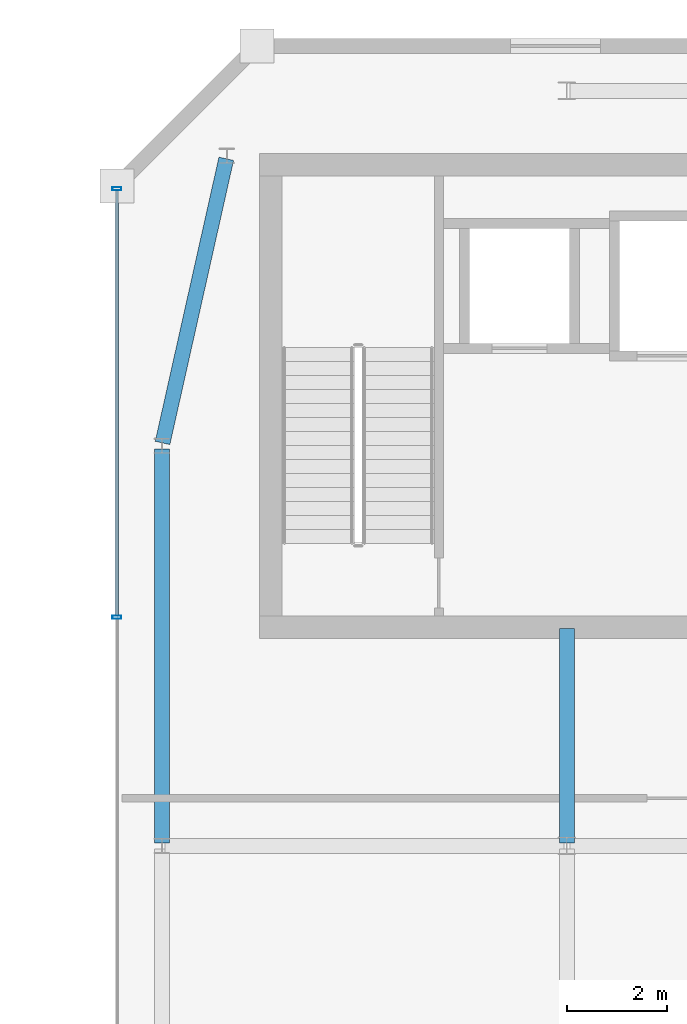
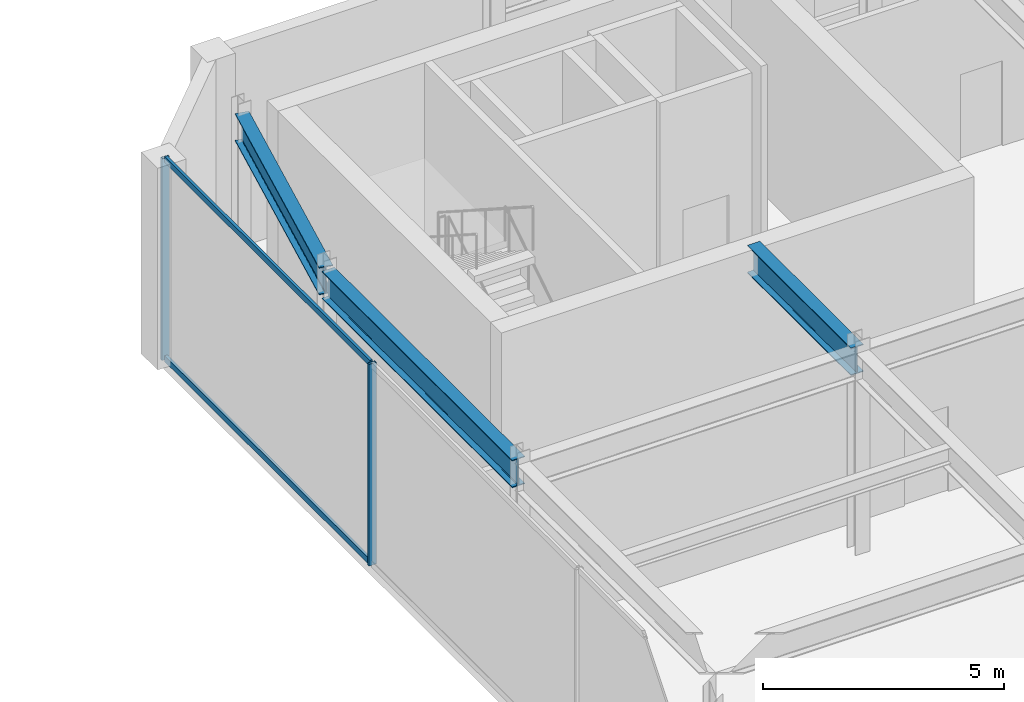
# One storey, part 36 of 52: 4 members, 3 beams, 1 element without a shape of its own.
"""IFC4 building model written with IfcOpenShell, lengths in metres."""

from ifc_helpers import new_model, si_unit, direction, frame, origin, origin_2d, place, context, subcontext, project, spatial, hollow_rectangle, i_section, extrude, material, material_profile, profile_set, type_object, element, aggregate, save


model = new_model("IFC4")

# Units and contexts
model_context = context("Model", 3, precision=1e-05, world=origin(), true_north=direction((0.0, 1.0)))
body_context = subcontext(model_context, "Body", "Model", "MODEL_VIEW")
ifc_project = project(units=[si_unit("LENGTHUNIT", "METRE"), si_unit("AREAUNIT", "SQUARE_METRE"), si_unit("VOLUMEUNIT", "CUBIC_METRE"), si_unit("PLANEANGLEUNIT", "RADIAN"), si_unit("MASSUNIT", "GRAM", prefix="KILO")], contexts=[model_context])

# Site, building, storey
site_placement = place(None, origin())
site = spatial("IfcSite", under=ifc_project, at=site_placement, CompositionType="ELEMENT")
building_placement = place(site_placement, origin())
building = spatial("IfcBuilding", under=site, at=building_placement, Name="Saevonmaru Cultural Tower", CompositionType="ELEMENT")
storey_placement = place(building_placement, frame((0.0, 0.0, 16.800048828125)))
storey = spatial("IfcBuildingStorey", under=building, at=storey_placement, Name="L03", CompositionType="ELEMENT", Elevation=16.800048828125)

# Beams
ifc_material_1 = material(Name="Steel SM355", Category="steel")
ifc_material_profile_1 = material_profile(ifc_material_1, i_section(OverallWidth=0.300048828125, OverallDepth=0.699951171875, WebThickness=0.012939453125, FlangeThickness=0.02392578125, FilletRadius=0.02587890625, at=origin_2d()), Name="H-700x300x13x24")
ifc_profile_set_1 = profile_set([ifc_material_profile_1], Name="Steel SM355")
beam_type = type_object("IfcBeamType", Name="BM-G-H700", PredefinedType="BEAM", material=ifc_profile_set_1)
beam_1_placement = place(storey_placement, frame((73.10009765625, 32.06005859375, 4.75), z_axis=(0.0, 1.0, 0.0), x_axis=(-1.0, 0.0, 0.0)))
element("IfcBeam", 1, at=beam_1_placement, inside=storey, type_object=beam_type, Name="L03 Library Girder NS-1-4", PredefinedType="BEAM", context=body_context, shape_type="SweptSolid", body=[
    extrude(i_section(OverallWidth=0.300048828125, OverallDepth=0.699951171875, WebThickness=0.012939453125, FlangeThickness=0.02392578125, FilletRadius=0.02587890625, at=origin_2d()), origin(), (0.0, 0.0, 1.0), 7.8798828125),
])
beam_2_placement = place(storey_placement, frame((73.113037109375, 40.05859375, 4.75), z_axis=(0.218741049138, 0.975782943806, 0.0), x_axis=(-0.975782943806, 0.218741049138, 0.0)))
element("IfcBeam", 2, at=beam_2_placement, inside=storey, type_object=beam_type, Name="L03 Library Girder NS-1-5", PredefinedType="BEAM", context=body_context, shape_type="SweptSolid", body=[
    extrude(i_section(OverallWidth=0.300048828125, OverallDepth=0.699951171875, WebThickness=0.012939453125, FlangeThickness=0.02392578125, FilletRadius=0.02587890625, at=origin_2d()), origin(), (0.0, 0.0, 1.0), 5.823974609375),
])
beam_3_placement = place(storey_placement, frame((81.199951171875, 32.06005859375, 4.75), z_axis=(0.0, 1.0, 0.0), x_axis=(-1.0, 0.0, 0.0)))
element("IfcBeam", 3, at=beam_3_placement, inside=storey, type_object=beam_type, Name="L03 Library Core-Bearing Girder NS-2-4", PredefinedType="BEAM", context=body_context, shape_type="SweptSolid", body=[
    extrude(i_section(OverallWidth=0.300048828125, OverallDepth=0.699951171875, WebThickness=0.012939453125, FlangeThickness=0.02392578125, FilletRadius=0.02587890625, at=origin_2d()), origin(), (0.0, 0.0, 1.0), 4.2900390625),
])

# Curtain wall, members
ifc_material_2 = material(Name="Satin Bronze Anodised Aluminium", Category="aluminium")
curtain_wall_type = type_object("IfcCurtainWallType", Name="CW-LIB-GLZ", PredefinedType="NOTDEFINED", material=ifc_material_2)
curtain_wall_placement = place(storey_placement, origin())
curtain_wall = element("IfcCurtainWall", 4, at=curtain_wall_placement, inside=storey, type_object=curtain_wall_type, Name="L03 Central Library Reading Hall Curtain Wall 8", PredefinedType="NOTDEFINED")
ifc_material_profile_2 = material_profile(ifc_material_2, hollow_rectangle(XDim=0.06494140625, YDim=0.179931640625, WallThickness=0.00390625, at=origin_2d()), Name="ALU-MULL-180x65x4")
ifc_profile_set_2 = profile_set([ifc_material_profile_2], Name="Satin Bronze Anodised Aluminium")
member_type_1 = type_object("IfcMemberType", Name="ML-CW-180x65", PredefinedType="MULLION", material=ifc_profile_set_2)
member_1_placement = place(storey_placement, frame((72.199951171875, 45.139892578125, 0.0), z_axis=(0.0, 0.0, 1.0), x_axis=(0.0, -1.0, 0.0)))
member_1 = element("IfcMember", 5, at=member_1_placement, type_object=member_type_1, Name="CW-LIB-8-L03 mullion 1", PredefinedType="MULLION", context=body_context, shape_type="SweptSolid", body=[
    extrude(hollow_rectangle(XDim=0.06494140625, YDim=0.179931640625, WallThickness=0.00390625, at=origin_2d()), origin(), (0.0, 0.0, 1.0), 5.099853515625),
])
member_2_placement = place(storey_placement, frame((72.199951171875, 36.570068359375, 0.0), z_axis=(0.0, 0.0, 1.0), x_axis=(0.0, -1.0, 0.0)))
member_2 = element("IfcMember", 6, at=member_2_placement, type_object=member_type_1, Name="CW-LIB-8-L03 mullion 2", PredefinedType="MULLION", context=body_context, shape_type="SweptSolid", body=[
    extrude(hollow_rectangle(XDim=0.06494140625, YDim=0.179931640625, WallThickness=0.00390625, at=origin_2d()), origin(), (0.0, 0.0, 1.0), 5.099853515625),
])
ifc_material_profile_3 = material_profile(ifc_material_2, hollow_rectangle(XDim=0.06494140625, YDim=0.14990234375, WallThickness=0.00390625, at=origin_2d()), Name="ALU-TRAN-150x65x4")
ifc_profile_set_3 = profile_set([ifc_material_profile_3], Name="Satin Bronze Anodised Aluminium")
member_type_2 = type_object("IfcMemberType", Name="TR-CW-150x65", PredefinedType="USERDEFINED", material=ifc_profile_set_3)
member_3_placement = place(storey_placement, frame((72.199951171875, 45.107421875, 0.032470703125), z_axis=(0.0, -1.0, 0.0), x_axis=(1.0, 0.0, 0.0)))
member_3 = element("IfcMember", 7, at=member_3_placement, type_object=member_type_2, Name="CW-LIB-8-L03 transom 1.1", ObjectType="TRANSOM", PredefinedType="USERDEFINED", context=body_context, shape_type="SweptSolid", body=[
    extrude(hollow_rectangle(XDim=0.06494140625, YDim=0.14990234375, WallThickness=0.00390625, at=origin_2d()), origin(), (0.0, 0.0, 1.0), 8.5048828125),
])
member_4_placement = place(storey_placement, frame((72.199951171875, 45.107421875, 5.0673828125), z_axis=(0.0, -1.0, 0.0), x_axis=(1.0, 0.0, 0.0)))
member_4 = element("IfcMember", 8, at=member_4_placement, type_object=member_type_2, Name="CW-LIB-8-L03 transom 1.2", ObjectType="TRANSOM", PredefinedType="USERDEFINED", context=body_context, shape_type="SweptSolid", body=[
    extrude(hollow_rectangle(XDim=0.06494140625, YDim=0.14990234375, WallThickness=0.00390625, at=origin_2d()), origin(), (0.0, 0.0, 1.0), 8.5048828125),
])
aggregate(curtain_wall, [member_1, member_2, member_3, member_4])

save(model, "model.ifc")
